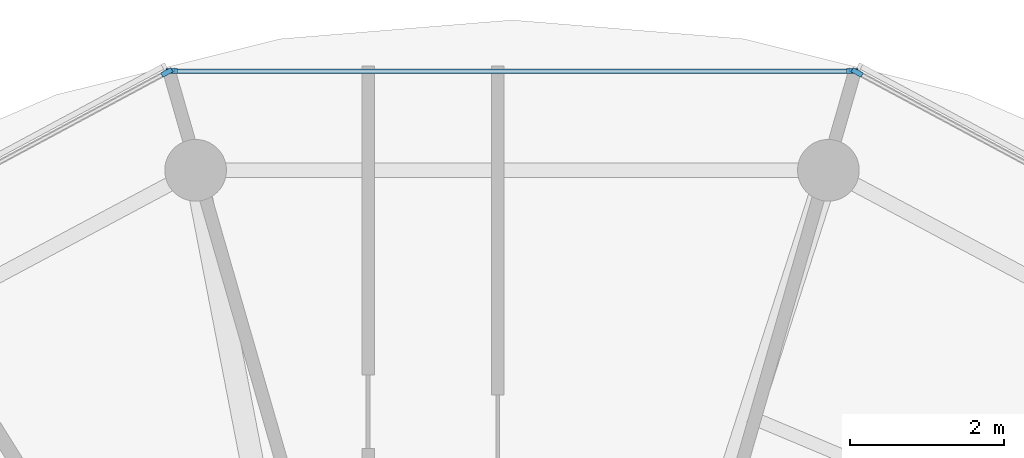
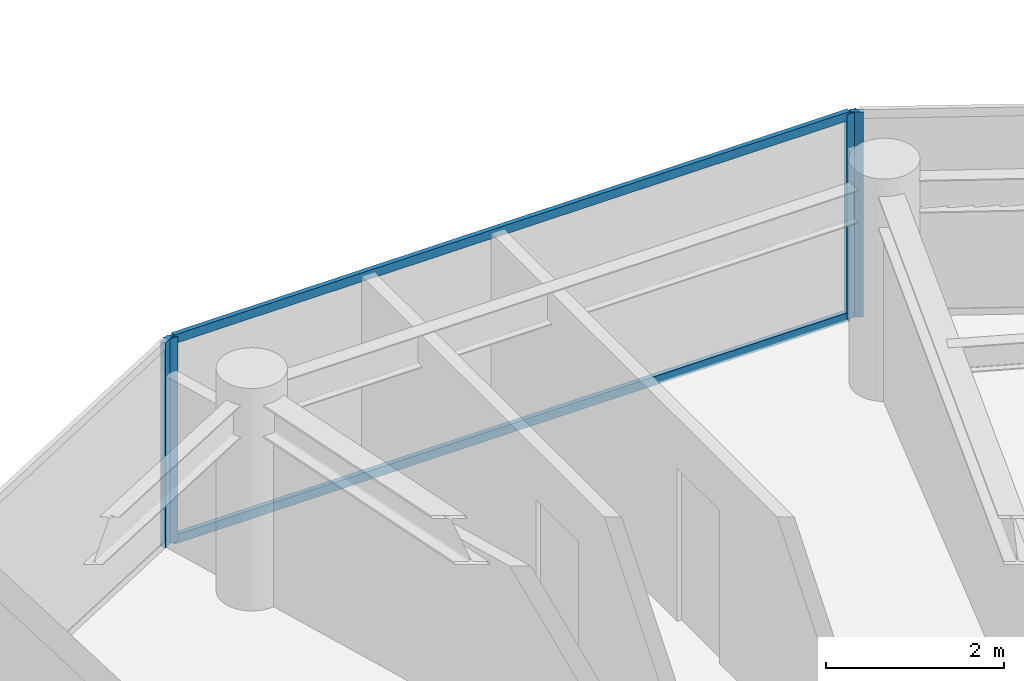
# One storey, part 9 of 23: 6 members, 3 elements without a shape of their own.
"""IFC4 building model written with IfcOpenShell, lengths in metres."""

from ifc_helpers import new_model, si_unit, direction, frame, origin, origin_2d, place, context, subcontext, project, spatial, rectangle, extrude, source, transform, mapped, material, layer, layer_set, material_profile, profile_set, type_object, type_shapes, element, aggregate, save


model = new_model("IFC4")

# Units and contexts
model_context = context("Model", 3, precision=1e-05, world=origin(), true_north=direction((0.0, 1.0)))
body_context = subcontext(model_context, "Body", "Model", "MODEL_VIEW")
ifc_project = project(units=[si_unit("LENGTHUNIT", "METRE"), si_unit("AREAUNIT", "SQUARE_METRE"), si_unit("VOLUMEUNIT", "CUBIC_METRE"), si_unit("PLANEANGLEUNIT", "RADIAN"), si_unit("MASSUNIT", "GRAM", prefix="KILO")], contexts=[model_context])

# Site, building, storey
site_placement = place(None, origin())
site = spatial("IfcSite", under=ifc_project, at=site_placement, CompositionType="ELEMENT")
building_placement = place(site_placement, origin())
building = spatial("IfcBuilding", under=site, at=building_placement, Name="Norrkilde Senior Care Towers", CompositionType="ELEMENT")
storey_placement = place(building_placement, frame((0.0, 0.0, 164.800048828125)))
storey = spatial("IfcBuildingStorey", under=building, at=storey_placement, Name="L51", CompositionType="ELEMENT", Elevation=164.800048828125)

# Curtain wall, member
ifc_material_1 = material(Name="Triple Low-E Insulated Glazing", Category="glass")
ifc_layer = layer(ifc_material_1, 0.18994140625)
ifc_layer_set = layer_set([ifc_layer], Name="Triple Low-E Insulated Glazing")
curtain_wall_type = type_object("IfcCurtainWallType", Name="CW4 Zone 3 Senior Residence Curtain Wall", PredefinedType="NOTDEFINED", material=ifc_layer_set)
curtain_wall_1_placement = place(storey_placement, origin())
curtain_wall_1 = element("IfcCurtainWall", 1, at=curtain_wall_1_placement, inside=storey, type_object=curtain_wall_type, Name="L51 Drum W Curtain Wall 01", PredefinedType="NOTDEFINED")
ifc_material_2 = material(Name="Anodised Aluminium", Category="aluminium")
ifc_material_profile_1 = material_profile(ifc_material_2, rectangle(XDim=0.06494140625, YDim=0.14990234375, at=origin_2d()), Name="ALU MULL 65x150")
ifc_profile_set_1 = profile_set([ifc_material_profile_1], Name="Anodised Aluminium")
member_type_1 = type_object("IfcMemberType", Name="Curtain Wall Mullion Z3-Z4 65x150", PredefinedType="MULLION", material=ifc_profile_set_1)
shared_shape_1 = source(origin(), body_context, "Body", "SweptSolid", [
    extrude(rectangle(XDim=0.06494140625, YDim=0.14990234375, at=origin_2d()), origin(), (0.0, 0.0, 1.0), 2.81005859375),
])
type_shapes(member_type_1, [shared_shape_1])
member_1_placement = place(storey_placement, frame((-22.499755859375, 17.195556640625, 0.0), z_axis=(0.0, 0.0, 1.0), x_axis=(0.47311715104, 0.880999524059, 0.0)))
member_1 = element("IfcMember", 2, at=member_1_placement, type_object=member_type_1, Name="CW-4 mullion 1", PredefinedType="MULLION", context=body_context, shape_type="MappedRepresentation", body=[
    mapped(shared_shape_1, transform((0.0, 0.0, 0.0), x_axis=(1.0, 0.0, 0.0), y_axis=(0.0, 1.0, 0.0), z_axis=(0.0, 0.0, 1.0), scale=1.0)),
])
aggregate(curtain_wall_1, [member_1])

# Curtain wall, members
curtain_wall_2_placement = place(storey_placement, origin())
curtain_wall_2 = element("IfcCurtainWall", 3, at=curtain_wall_2_placement, inside=storey, type_object=curtain_wall_type, Name="L51 Drum W Curtain Wall 02", PredefinedType="NOTDEFINED")
member_2_placement = place(storey_placement, frame((-31.388916015625, 17.2109375, 0.0), z_axis=(0.0, 0.0, 1.0), x_axis=(0.0, 1.0, 0.0)))
member_2 = element("IfcMember", 4, at=member_2_placement, type_object=member_type_1, Name="CW-4 mullion 1", PredefinedType="MULLION", context=body_context, shape_type="MappedRepresentation", body=[
    mapped(shared_shape_1, transform((0.0, 0.0, 0.0), x_axis=(1.0, 0.0, 0.0), y_axis=(0.0, 1.0, 0.0), z_axis=(0.0, 0.0, 1.0), scale=1.0)),
])
member_3_placement = place(storey_placement, frame((-22.56103515625, 17.2109375, 0.0), z_axis=(0.0, 0.0, 1.0), x_axis=(0.0, 1.0, 0.0)))
member_3 = element("IfcMember", 5, at=member_3_placement, type_object=member_type_1, Name="CW-4 mullion 2", PredefinedType="MULLION", context=body_context, shape_type="MappedRepresentation", body=[
    mapped(shared_shape_1, transform((0.0, 0.0, 0.0), x_axis=(1.0, 0.0, 0.0), y_axis=(0.0, 1.0, 0.0), z_axis=(0.0, 0.0, 1.0), scale=1.0)),
])

# Curtain wall, member
curtain_wall_3_placement = place(storey_placement, origin())
curtain_wall_3 = element("IfcCurtainWall", 6, at=curtain_wall_3_placement, inside=storey, type_object=curtain_wall_type, Name="L51 Drum W Curtain Wall 03", PredefinedType="NOTDEFINED")
member_4_placement = place(storey_placement, frame((-31.4501953125, 17.195556640625, 0.0), z_axis=(0.0, 0.0, 1.0), x_axis=(-0.47311715104, 0.880999524059, 0.0)))
member_4 = element("IfcMember", 7, at=member_4_placement, type_object=member_type_1, Name="CW-4 mullion 2", PredefinedType="MULLION", context=body_context, shape_type="MappedRepresentation", body=[
    mapped(shared_shape_1, transform((0.0, 0.0, 0.0), x_axis=(1.0, 0.0, 0.0), y_axis=(0.0, 1.0, 0.0), z_axis=(0.0, 0.0, 1.0), scale=1.0)),
])
aggregate(curtain_wall_3, [member_4])

# Member
ifc_material_profile_2 = material_profile(ifc_material_2, rectangle(XDim=0.06005859375, YDim=0.1201171875, at=origin_2d()), Name="ALU TRAN 60x120")
ifc_profile_set_2 = profile_set([ifc_material_profile_2], Name="Anodised Aluminium")
member_type_2 = type_object("IfcMemberType", Name="Curtain Wall Transom Typical 60x120", PredefinedType="USERDEFINED", material=ifc_profile_set_2)
shared_shape_2 = source(origin(), body_context, "Body", "SweptSolid", [
    extrude(rectangle(XDim=0.06005859375, YDim=0.1201171875, at=origin_2d()), origin(), (0.0, 0.0, 1.0), 8.762939453125),
])
type_shapes(member_type_2, [shared_shape_2])
member_5_placement = place(storey_placement, frame((-31.3564453125, 17.2109375, 0.030029296875), z_axis=(1.0, 0.0, 0.0), x_axis=(0.0, 1.0, 0.0)))
member_5 = element("IfcMember", 8, at=member_5_placement, type_object=member_type_2, Name="CW-4 transom 1.1", ObjectType="TRANSOM", PredefinedType="USERDEFINED", context=body_context, shape_type="MappedRepresentation", body=[
    mapped(shared_shape_2, transform((0.0, 0.0, 0.0), x_axis=(1.0, 0.0, 0.0), y_axis=(0.0, 1.0, 0.0), z_axis=(0.0, 0.0, 1.0), scale=1.0)),
])

member_6_placement = place(storey_placement, frame((-31.3564453125, 17.2109375, 2.780029296875), z_axis=(1.0, 0.0, 0.0), x_axis=(0.0, 1.0, 0.0)))
member_6 = element("IfcMember", 9, at=member_6_placement, type_object=member_type_2, Name="CW-4 transom 1.2", ObjectType="TRANSOM", PredefinedType="USERDEFINED", context=body_context, shape_type="MappedRepresentation", body=[
    mapped(shared_shape_2, transform((0.0, 0.0, 0.0), x_axis=(1.0, 0.0, 0.0), y_axis=(0.0, 1.0, 0.0), z_axis=(0.0, 0.0, 1.0), scale=1.0)),
])

aggregate(curtain_wall_2, [member_2, member_3, member_5, member_6])

save(model, "model.ifc")
